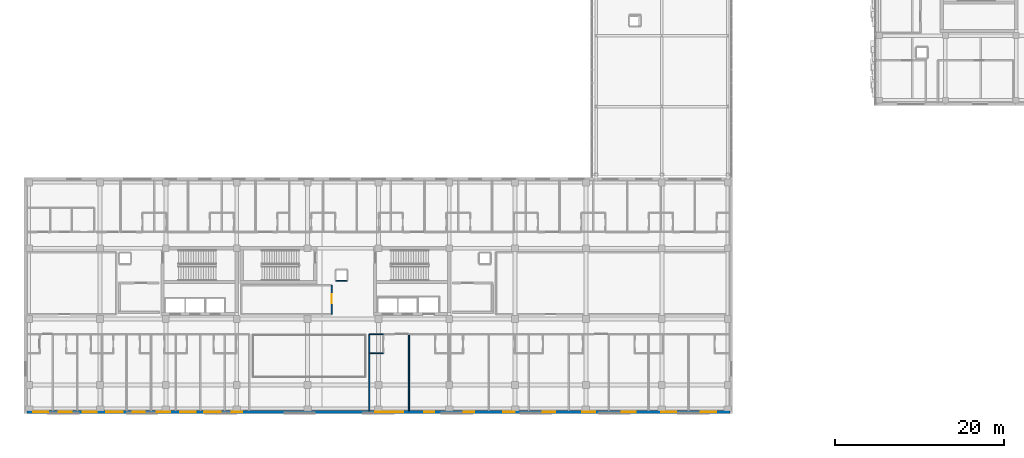
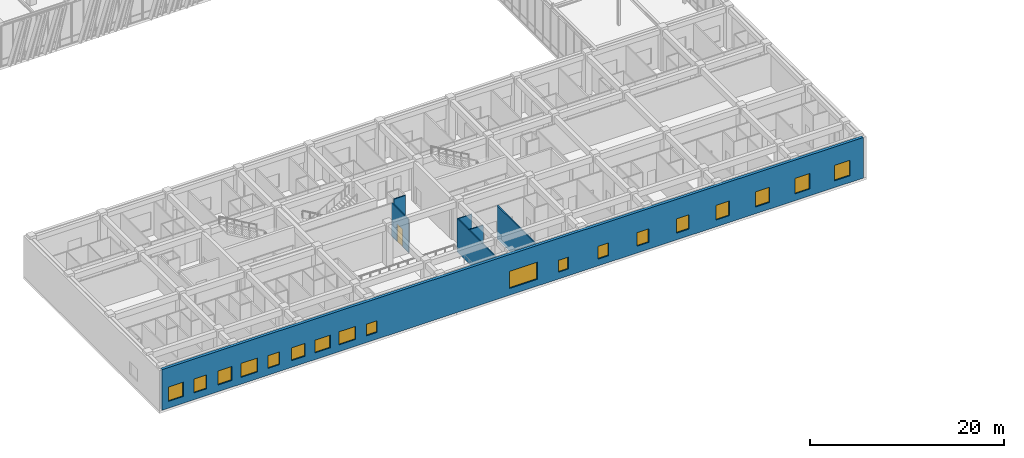
# One storey, part 104 of 139: 18 windows, 7 walls, 1 door, 19 openings.
"""IFC4 building model written with IfcOpenShell, lengths in metres."""

from ifc_helpers import new_model, si_unit, direction, frame, frame_2d, origin, place, context, subcontext, project, spatial, rectangle, extrude, material, layer, layer_set, type_object, element, fill, save


model = new_model("IFC4")

# Units and contexts
model_context = context("Model", 3, precision=1e-05, world=origin(), true_north=direction((0.0, 1.0)))
body_context = subcontext(model_context, "Body", "Model", "MODEL_VIEW")
ifc_project = project(units=[si_unit("LENGTHUNIT", "METRE"), si_unit("AREAUNIT", "SQUARE_METRE"), si_unit("VOLUMEUNIT", "CUBIC_METRE"), si_unit("PLANEANGLEUNIT", "RADIAN"), si_unit("MASSUNIT", "GRAM", prefix="KILO")], contexts=[model_context])

# Site, building, storey
site_placement = place(None, origin())
site = spatial("IfcSite", under=ifc_project, at=site_placement, CompositionType="ELEMENT")
building_placement = place(site_placement, origin())
building = spatial("IfcBuilding", under=site, at=building_placement, Name="Zayran Congress Hotel", CompositionType="ELEMENT")
storey_placement = place(building_placement, frame((0.0, 0.0, 5.39990234375)))
storey = spatial("IfcBuildingStorey", under=building, at=storey_placement, Name="L01", CompositionType="ELEMENT", Elevation=5.39990234375)

# Wall, openings, windows
ifc_material_1 = material(Name="Hajar Ma'ani limestone and insulated concrete C32/40", Category="masonry")
ifc_layer_1 = layer(ifc_material_1, 0.340087890625)
ifc_layer_set_1 = layer_set([ifc_layer_1], Name="Hajar Ma'ani limestone and insulated concrete C32/40")
wall_type_1 = type_object("IfcWallType", Name="WL-EX-340", PredefinedType="SOLIDWALL", material=ifc_layer_set_1)
wall_1_placement = place(storey_placement, frame((92.06005859375, 6.169921875, 0.0), z_axis=(0.0, 0.0, 1.0), x_axis=(-1.0, 0.0, 0.0)))
wall_1 = element("IfcWall", 1, at=wall_1_placement, inside=storey, type_object=wall_type_1, Name="EW-V5-S-L01", PredefinedType="SOLIDWALL", context=body_context, shape_type="SweptSolid", body=[
    extrude(rectangle(XDim=83.320068359375, YDim=0.340087890625, at=frame_2d((41.66015625, 0.0))), origin(), (0.0, 0.0, 1.0), 5.10009765625),
])
opening_1_placement = place(wall_1_placement, frame((80.803955078125, 0.0, 0.85009765625)))
opening_1 = element("IfcOpeningElement", 2, at=opening_1_placement, cuts=wall_1, Name="Opening WN-01", PredefinedType="OPENING", context=body_context, shape_type="SweptSolid", body=[
    extrude(rectangle(XDim=1.800048828125, YDim=1.800048828125, at=frame_2d((0.89990234375, 0.89990234375))), frame((0.0, 0.179931640625, 0.0), z_axis=(0.0, -1.0, 0.0), x_axis=(1.0, 0.0, 0.0)), (0.0, 0.0, 1.0), 0.360107421875),
])
opening_2_placement = place(wall_1_placement, frame((78.04296875, 0.0, 0.85009765625)))
opening_2 = element("IfcOpeningElement", 3, at=opening_2_placement, cuts=wall_1, Name="Opening WN-06", PredefinedType="OPENING", context=body_context, shape_type="SweptSolid", body=[
    extrude(rectangle(XDim=1.5, YDim=1.75, at=frame_2d((0.75, 0.875))), frame((0.0, 0.179931640625, 0.0), z_axis=(0.0, -1.0, 0.0), x_axis=(1.0, 0.0, 0.0)), (0.0, 0.0, 1.0), 0.360107421875),
])
opening_3_placement = place(wall_1_placement, frame((75.056884765625, 0.0, 0.85009765625)))
opening_3 = element("IfcOpeningElement", 4, at=opening_3_placement, cuts=wall_1, Name="Opening WN-07", PredefinedType="OPENING", context=body_context, shape_type="SweptSolid", body=[
    extrude(rectangle(XDim=1.64990234375, YDim=1.75, at=frame_2d((0.824951171875, 0.875))), frame((0.0, 0.179931640625, 0.0), z_axis=(0.0, -1.0, 0.0), x_axis=(1.0, 0.0, 0.0)), (0.0, 0.0, 1.0), 0.360107421875),
])
opening_4_placement = place(wall_1_placement, frame((71.9970703125, 0.0, 0.85009765625)))
opening_4 = element("IfcOpeningElement", 5, at=opening_4_placement, cuts=wall_1, Name="Opening WN-08", PredefinedType="OPENING", context=body_context, shape_type="SweptSolid", body=[
    extrude(rectangle(XDim=1.949951171875, YDim=1.75, at=frame_2d((0.97509765625, 0.875))), frame((0.0, 0.179931640625, 0.0), z_axis=(0.0, -1.0, 0.0), x_axis=(1.0, 0.0, 0.0)), (0.0, 0.0, 1.0), 0.360107421875),
])
opening_5_placement = place(wall_1_placement, frame((69.360107421875, 0.0, 0.85009765625)))
opening_5 = element("IfcOpeningElement", 6, at=opening_5_placement, cuts=wall_1, Name="Opening WN-14", PredefinedType="OPENING", context=body_context, shape_type="SweptSolid", body=[
    extrude(rectangle(XDim=1.39990234375, YDim=1.60009765625, at=frame_2d((0.699951171875, 0.800048828125))), frame((0.0, 0.179931640625, 0.0), z_axis=(0.0, -1.0, 0.0), x_axis=(1.0, 0.0, 0.0)), (0.0, 0.0, 1.0), 0.360107421875),
])
opening_6_placement = place(wall_1_placement, frame((66.34912109375, 0.0, 0.85009765625)))
opening_6 = element("IfcOpeningElement", 7, at=opening_6_placement, cuts=wall_1, Name="Opening WN-15", PredefinedType="OPENING", context=body_context, shape_type="SweptSolid", body=[
    extrude(rectangle(XDim=1.60009765625, YDim=1.60009765625, at=frame_2d((0.800048828125, 0.800048828125))), frame((0.0, 0.179931640625, 0.0), z_axis=(0.0, -1.0, 0.0), x_axis=(1.0, 0.0, 0.0)), (0.0, 0.0, 1.0), 0.360107421875),
])
opening_7_placement = place(wall_1_placement, frame((63.337890625, 0.0, 0.85009765625)))
opening_7 = element("IfcOpeningElement", 8, at=opening_7_placement, cuts=wall_1, Name="Opening WN-16", PredefinedType="OPENING", context=body_context, shape_type="SweptSolid", body=[
    extrude(rectangle(XDim=1.800048828125, YDim=1.60009765625, at=frame_2d((0.89990234375, 0.800048828125))), frame((0.0, 0.179931640625, 0.0), z_axis=(0.0, -1.0, 0.0), x_axis=(1.0, 0.0, 0.0)), (0.0, 0.0, 1.0), 0.360107421875),
])
opening_8_placement = place(wall_1_placement, frame((60.326904296875, 0.0, 0.85009765625)))
opening_8 = element("IfcOpeningElement", 9, at=opening_8_placement, cuts=wall_1, Name="Opening WN-17", PredefinedType="OPENING", context=body_context, shape_type="SweptSolid", body=[
    extrude(rectangle(XDim=2.0, YDim=1.64990234375, at=frame_2d((1.0, 0.824951171875))), frame((0.0, 0.179931640625, 0.0), z_axis=(0.0, -1.0, 0.0), x_axis=(1.0, 0.0, 0.0)), (0.0, 0.0, 1.0), 0.360107421875),
])
opening_9_placement = place(wall_1_placement, frame((57.791015625, 0.0, 0.85009765625)))
opening_9 = element("IfcOpeningElement", 10, at=opening_9_placement, cuts=wall_1, Name="Opening WN-23", PredefinedType="OPENING", context=body_context, shape_type="SweptSolid", body=[
    extrude(rectangle(XDim=1.25, YDim=1.449951171875, at=frame_2d((0.625, 0.72509765625))), frame((0.0, 0.179931640625, 0.0), z_axis=(0.0, -1.0, 0.0), x_axis=(1.0, 0.0, 0.0)), (0.0, 0.0, 1.0), 0.360107421875),
])
opening_10_placement = place(wall_1_placement, frame((38.743896484375, 0.0, 0.85009765625)))
opening_10 = element("IfcOpeningElement", 11, at=opening_10_placement, cuts=wall_1, Name="Opening WN-30", PredefinedType="OPENING", context=body_context, shape_type="SweptSolid", body=[
    extrude(rectangle(XDim=3.300048828125, YDim=2.14990234375, at=frame_2d((1.64990234375, 1.074951171875))), frame((0.0, 0.179931640625, 0.0), z_axis=(0.0, -1.0, 0.0), x_axis=(1.0, 0.0, 0.0)), (0.0, 0.0, 1.0), 0.360107421875),
])
opening_11_placement = place(wall_1_placement, frame((35.070068359375, 0.0, 0.85009765625)))
opening_11 = element("IfcOpeningElement", 12, at=opening_11_placement, cuts=wall_1, Name="Opening WN-31", PredefinedType="OPENING", context=body_context, shape_type="SweptSolid", body=[
    extrude(rectangle(XDim=1.179931640625, YDim=1.5, at=frame_2d((0.58984375, 0.75))), frame((0.0, 0.179931640625, 0.0), z_axis=(0.0, -1.0, 0.0), x_axis=(1.0, 0.0, 0.0)), (0.0, 0.0, 1.0), 0.360107421875),
])
opening_12_placement = place(wall_1_placement, frame((30.287109375, 0.0, 0.85009765625)))
opening_12 = element("IfcOpeningElement", 13, at=opening_12_placement, cuts=wall_1, Name="Opening WN-32", PredefinedType="OPENING", context=body_context, shape_type="SweptSolid", body=[
    extrude(rectangle(XDim=1.280029296875, YDim=1.60009765625, at=frame_2d((0.64013671875, 0.800048828125))), frame((0.0, 0.179931640625, 0.0), z_axis=(0.0, -1.0, 0.0), x_axis=(1.0, 0.0, 0.0)), (0.0, 0.0, 1.0), 0.360107421875),
])
opening_13_placement = place(wall_1_placement, frame((25.5029296875, 0.0, 0.85009765625)))
opening_13 = element("IfcOpeningElement", 14, at=opening_13_placement, cuts=wall_1, Name="Opening WN-33", PredefinedType="OPENING", context=body_context, shape_type="SweptSolid", body=[
    extrude(rectangle(XDim=1.3798828125, YDim=1.699951171875, at=frame_2d((0.68994140625, 0.85009765625))), frame((0.0, 0.179931640625, 0.0), z_axis=(0.0, -1.0, 0.0), x_axis=(1.0, 0.0, 0.0)), (0.0, 0.0, 1.0), 0.360107421875),
])
opening_14_placement = place(wall_1_placement, frame((20.719970703125, 0.0, 0.85009765625)))
opening_14 = element("IfcOpeningElement", 15, at=opening_14_placement, cuts=wall_1, Name="Opening WN-34", PredefinedType="OPENING", context=body_context, shape_type="SweptSolid", body=[
    extrude(rectangle(XDim=1.47998046875, YDim=1.800048828125, at=frame_2d((0.739990234375, 0.89990234375))), frame((0.0, 0.179931640625, 0.0), z_axis=(0.0, -1.0, 0.0), x_axis=(1.0, 0.0, 0.0)), (0.0, 0.0, 1.0), 0.360107421875),
])
opening_15_placement = place(wall_1_placement, frame((15.93701171875, 0.0, 0.85009765625)))
opening_15 = element("IfcOpeningElement", 16, at=opening_15_placement, cuts=wall_1, Name="Opening WN-35", PredefinedType="OPENING", context=body_context, shape_type="SweptSolid", body=[
    extrude(rectangle(XDim=1.580078125, YDim=1.85009765625, at=frame_2d((0.7900390625, 0.925048828125))), frame((0.0, 0.179931640625, 0.0), z_axis=(0.0, -1.0, 0.0), x_axis=(1.0, 0.0, 0.0)), (0.0, 0.0, 1.0), 0.360107421875),
])
opening_16_placement = place(wall_1_placement, frame((11.154052734375, 0.0, 0.85009765625)))
opening_16 = element("IfcOpeningElement", 17, at=opening_16_placement, cuts=wall_1, Name="Opening WN-36", PredefinedType="OPENING", context=body_context, shape_type="SweptSolid", body=[
    extrude(rectangle(XDim=1.679931640625, YDim=1.89990234375, at=frame_2d((0.83984375, 0.949951171875))), frame((0.0, 0.179931640625, 0.0), z_axis=(0.0, -1.0, 0.0), x_axis=(1.0, 0.0, 0.0)), (0.0, 0.0, 1.0), 0.360107421875),
])
opening_17_placement = place(wall_1_placement, frame((6.3701171875, 0.0, 0.85009765625)))
opening_17 = element("IfcOpeningElement", 18, at=opening_17_placement, cuts=wall_1, Name="Opening WN-37", PredefinedType="OPENING", context=body_context, shape_type="SweptSolid", body=[
    extrude(rectangle(XDim=1.780029296875, YDim=1.949951171875, at=frame_2d((0.89013671875, 0.97509765625))), frame((0.0, 0.179931640625, 0.0), z_axis=(0.0, -1.0, 0.0), x_axis=(1.0, 0.0, 0.0)), (0.0, 0.0, 1.0), 0.360107421875),
])
opening_18_placement = place(wall_1_placement, frame((1.5859375, 0.0, 0.85009765625)))
opening_18 = element("IfcOpeningElement", 19, at=opening_18_placement, cuts=wall_1, Name="Opening WN-38", PredefinedType="OPENING", context=body_context, shape_type="SweptSolid", body=[
    extrude(rectangle(XDim=1.8798828125, YDim=1.949951171875, at=frame_2d((0.93994140625, 0.97509765625))), frame((0.0, 0.179931640625, 0.0), z_axis=(0.0, -1.0, 0.0), x_axis=(1.0, 0.0, 0.0)), (0.0, 0.0, 1.0), 0.360107421875),
])
ifc_material_2 = material(Name="Anodised aluminium and low-E insulated glass", Category="aluminium")
window_type_1 = type_object("IfcWindowType", Name="TP-WN-01", PartitioningType="SINGLE_PANEL", PredefinedType="WINDOW", material=ifc_material_2)
window_1_placement = place(opening_1_placement, origin())
window_1 = element("IfcWindow", 20, at=window_1_placement, inside=storey, type_object=window_type_1, Name="WIN-V5S-L01-0154", OverallHeight=1.800048828125, OverallWidth=1.800048828125, PartitioningType="SINGLE_PANEL", PredefinedType="WINDOW", context=body_context, shape_type="SweptSolid", body=[
    extrude(rectangle(XDim=1.800048828125, YDim=1.800048828125, at=frame_2d((0.89990234375, 0.89990234375))), frame((0.0, 0.030029296875, 0.0), z_axis=(0.0, -1.0, 0.0), x_axis=(1.0, 0.0, 0.0)), (0.0, 0.0, 1.0), 0.06005859375),
])
fill(opening_1, window_1)
window_type_2 = type_object("IfcWindowType", Name="TP-WN-06", PartitioningType="SINGLE_PANEL", PredefinedType="WINDOW", material=ifc_material_2)
window_2_placement = place(opening_2_placement, origin())
window_2 = element("IfcWindow", 21, at=window_2_placement, inside=storey, type_object=window_type_2, Name="WIN-V5S-L01-0155", OverallHeight=1.75, OverallWidth=1.5, PartitioningType="SINGLE_PANEL", PredefinedType="WINDOW", context=body_context, shape_type="SweptSolid", body=[
    extrude(rectangle(XDim=1.5, YDim=1.75, at=frame_2d((0.75, 0.875))), frame((0.0, 0.030029296875, 0.0), z_axis=(0.0, -1.0, 0.0), x_axis=(1.0, 0.0, 0.0)), (0.0, 0.0, 1.0), 0.06005859375),
])
fill(opening_2, window_2)
window_type_3 = type_object("IfcWindowType", Name="TP-WN-07", PartitioningType="SINGLE_PANEL", PredefinedType="WINDOW", material=ifc_material_2)
window_3_placement = place(opening_3_placement, origin())
window_3 = element("IfcWindow", 22, at=window_3_placement, inside=storey, type_object=window_type_3, Name="WIN-V5S-L01-0156", OverallHeight=1.75, OverallWidth=1.64990234375, PartitioningType="SINGLE_PANEL", PredefinedType="WINDOW", context=body_context, shape_type="SweptSolid", body=[
    extrude(rectangle(XDim=1.64990234375, YDim=1.75, at=frame_2d((0.824951171875, 0.875))), frame((0.0, 0.030029296875, 0.0), z_axis=(0.0, -1.0, 0.0), x_axis=(1.0, 0.0, 0.0)), (0.0, 0.0, 1.0), 0.06005859375),
])
fill(opening_3, window_3)
window_type_4 = type_object("IfcWindowType", Name="TP-WN-08", PartitioningType="DOUBLE_PANEL_VERTICAL", PredefinedType="WINDOW", material=ifc_material_2)
window_4_placement = place(opening_4_placement, origin())
window_4 = element("IfcWindow", 23, at=window_4_placement, inside=storey, type_object=window_type_4, Name="WIN-V5S-L01-0157", OverallHeight=1.75, OverallWidth=1.949951171875, PartitioningType="SINGLE_PANEL", PredefinedType="WINDOW", context=body_context, shape_type="SweptSolid", body=[
    extrude(rectangle(XDim=1.949951171875, YDim=1.75, at=frame_2d((0.97509765625, 0.875))), frame((0.0, 0.030029296875, 0.0), z_axis=(0.0, -1.0, 0.0), x_axis=(1.0, 0.0, 0.0)), (0.0, 0.0, 1.0), 0.06005859375),
])
fill(opening_4, window_4)
window_type_5 = type_object("IfcWindowType", Name="TP-WN-14", PartitioningType="SINGLE_PANEL", PredefinedType="WINDOW", material=ifc_material_2)
window_5_placement = place(opening_5_placement, origin())
window_5 = element("IfcWindow", 24, at=window_5_placement, inside=storey, type_object=window_type_5, Name="WIN-V5S-L01-0158", OverallHeight=1.60009765625, OverallWidth=1.39990234375, PartitioningType="SINGLE_PANEL", PredefinedType="WINDOW", context=body_context, shape_type="SweptSolid", body=[
    extrude(rectangle(XDim=1.39990234375, YDim=1.60009765625, at=frame_2d((0.699951171875, 0.800048828125))), frame((0.0, 0.030029296875, 0.0), z_axis=(0.0, -1.0, 0.0), x_axis=(1.0, 0.0, 0.0)), (0.0, 0.0, 1.0), 0.06005859375),
])
fill(opening_5, window_5)
window_type_6 = type_object("IfcWindowType", Name="TP-WN-15", PartitioningType="SINGLE_PANEL", PredefinedType="WINDOW", material=ifc_material_2)
window_6_placement = place(opening_6_placement, origin())
window_6 = element("IfcWindow", 25, at=window_6_placement, inside=storey, type_object=window_type_6, Name="WIN-V5S-L01-0159", OverallHeight=1.60009765625, OverallWidth=1.60009765625, PartitioningType="SINGLE_PANEL", PredefinedType="WINDOW", context=body_context, shape_type="SweptSolid", body=[
    extrude(rectangle(XDim=1.60009765625, YDim=1.60009765625, at=frame_2d((0.800048828125, 0.800048828125))), frame((0.0, 0.030029296875, 0.0), z_axis=(0.0, -1.0, 0.0), x_axis=(1.0, 0.0, 0.0)), (0.0, 0.0, 1.0), 0.06005859375),
])
fill(opening_6, window_6)
window_type_7 = type_object("IfcWindowType", Name="TP-WN-16", PartitioningType="DOUBLE_PANEL_VERTICAL", PredefinedType="WINDOW", material=ifc_material_2)
window_7_placement = place(opening_7_placement, origin())
window_7 = element("IfcWindow", 26, at=window_7_placement, inside=storey, type_object=window_type_7, Name="WIN-V5S-L01-0160", OverallHeight=1.60009765625, OverallWidth=1.800048828125, PartitioningType="SINGLE_PANEL", PredefinedType="WINDOW", context=body_context, shape_type="SweptSolid", body=[
    extrude(rectangle(XDim=1.800048828125, YDim=1.60009765625, at=frame_2d((0.89990234375, 0.800048828125))), frame((0.0, 0.030029296875, 0.0), z_axis=(0.0, -1.0, 0.0), x_axis=(1.0, 0.0, 0.0)), (0.0, 0.0, 1.0), 0.06005859375),
])
fill(opening_7, window_7)
window_type_8 = type_object("IfcWindowType", Name="TP-WN-17", PartitioningType="DOUBLE_PANEL_VERTICAL", PredefinedType="WINDOW", material=ifc_material_2)
window_8_placement = place(opening_8_placement, origin())
window_8 = element("IfcWindow", 27, at=window_8_placement, inside=storey, type_object=window_type_8, Name="WIN-V5S-L01-0161", OverallHeight=1.64990234375, OverallWidth=2.0, PartitioningType="SINGLE_PANEL", PredefinedType="WINDOW", context=body_context, shape_type="SweptSolid", body=[
    extrude(rectangle(XDim=2.0, YDim=1.64990234375, at=frame_2d((1.0, 0.824951171875))), frame((0.0, 0.030029296875, 0.0), z_axis=(0.0, -1.0, 0.0), x_axis=(1.0, 0.0, 0.0)), (0.0, 0.0, 1.0), 0.06005859375),
])
fill(opening_8, window_8)
window_type_9 = type_object("IfcWindowType", Name="TP-WN-23", PartitioningType="SINGLE_PANEL", PredefinedType="WINDOW", material=ifc_material_2)
window_9_placement = place(opening_9_placement, origin())
window_9 = element("IfcWindow", 28, at=window_9_placement, inside=storey, type_object=window_type_9, Name="WIN-V5S-L01-0162", OverallHeight=1.449951171875, OverallWidth=1.25, PartitioningType="SINGLE_PANEL", PredefinedType="WINDOW", context=body_context, shape_type="SweptSolid", body=[
    extrude(rectangle(XDim=1.25, YDim=1.449951171875, at=frame_2d((0.625, 0.72509765625))), frame((0.0, 0.030029296875, 0.0), z_axis=(0.0, -1.0, 0.0), x_axis=(1.0, 0.0, 0.0)), (0.0, 0.0, 1.0), 0.06005859375),
])
fill(opening_9, window_9)
window_type_10 = type_object("IfcWindowType", Name="TP-WN-30", PartitioningType="TRIPLE_PANEL_VERTICAL", PredefinedType="WINDOW", material=ifc_material_2)
window_10_placement = place(opening_10_placement, origin())
window_10 = element("IfcWindow", 29, at=window_10_placement, inside=storey, type_object=window_type_10, Name="WIN-V5S-L01-0163", OverallHeight=2.14990234375, OverallWidth=3.300048828125, PartitioningType="SINGLE_PANEL", PredefinedType="WINDOW", context=body_context, shape_type="SweptSolid", body=[
    extrude(rectangle(XDim=3.300048828125, YDim=2.14990234375, at=frame_2d((1.64990234375, 1.074951171875))), frame((0.0, 0.030029296875, 0.0), z_axis=(0.0, -1.0, 0.0), x_axis=(1.0, 0.0, 0.0)), (0.0, 0.0, 1.0), 0.06005859375),
])
fill(opening_10, window_10)
window_type_11 = type_object("IfcWindowType", Name="TP-WN-31", PartitioningType="SINGLE_PANEL", PredefinedType="WINDOW", material=ifc_material_2)
window_11_placement = place(opening_11_placement, origin())
window_11 = element("IfcWindow", 30, at=window_11_placement, inside=storey, type_object=window_type_11, Name="WIN-V5S-L01-0164", OverallHeight=1.5, OverallWidth=1.179931640625, PartitioningType="SINGLE_PANEL", PredefinedType="WINDOW", context=body_context, shape_type="SweptSolid", body=[
    extrude(rectangle(XDim=1.179931640625, YDim=1.5, at=frame_2d((0.58984375, 0.75))), frame((0.0, 0.030029296875, 0.0), z_axis=(0.0, -1.0, 0.0), x_axis=(1.0, 0.0, 0.0)), (0.0, 0.0, 1.0), 0.06005859375),
])
fill(opening_11, window_11)
window_type_12 = type_object("IfcWindowType", Name="TP-WN-32", PartitioningType="SINGLE_PANEL", PredefinedType="WINDOW", material=ifc_material_2)
window_12_placement = place(opening_12_placement, origin())
window_12 = element("IfcWindow", 31, at=window_12_placement, inside=storey, type_object=window_type_12, Name="WIN-V5S-L01-0165", OverallHeight=1.60009765625, OverallWidth=1.280029296875, PartitioningType="SINGLE_PANEL", PredefinedType="WINDOW", context=body_context, shape_type="SweptSolid", body=[
    extrude(rectangle(XDim=1.280029296875, YDim=1.60009765625, at=frame_2d((0.64013671875, 0.800048828125))), frame((0.0, 0.030029296875, 0.0), z_axis=(0.0, -1.0, 0.0), x_axis=(1.0, 0.0, 0.0)), (0.0, 0.0, 1.0), 0.06005859375),
])
fill(opening_12, window_12)
window_type_13 = type_object("IfcWindowType", Name="TP-WN-33", PartitioningType="SINGLE_PANEL", PredefinedType="WINDOW", material=ifc_material_2)
window_13_placement = place(opening_13_placement, origin())
window_13 = element("IfcWindow", 32, at=window_13_placement, inside=storey, type_object=window_type_13, Name="WIN-V5S-L01-0166", OverallHeight=1.699951171875, OverallWidth=1.3798828125, PartitioningType="SINGLE_PANEL", PredefinedType="WINDOW", context=body_context, shape_type="SweptSolid", body=[
    extrude(rectangle(XDim=1.3798828125, YDim=1.699951171875, at=frame_2d((0.68994140625, 0.85009765625))), frame((0.0, 0.030029296875, 0.0), z_axis=(0.0, -1.0, 0.0), x_axis=(1.0, 0.0, 0.0)), (0.0, 0.0, 1.0), 0.06005859375),
])
fill(opening_13, window_13)
window_type_14 = type_object("IfcWindowType", Name="TP-WN-34", PartitioningType="SINGLE_PANEL", PredefinedType="WINDOW", material=ifc_material_2)
window_14_placement = place(opening_14_placement, origin())
window_14 = element("IfcWindow", 33, at=window_14_placement, inside=storey, type_object=window_type_14, Name="WIN-V5S-L01-0167", OverallHeight=1.800048828125, OverallWidth=1.47998046875, PartitioningType="SINGLE_PANEL", PredefinedType="WINDOW", context=body_context, shape_type="SweptSolid", body=[
    extrude(rectangle(XDim=1.47998046875, YDim=1.800048828125, at=frame_2d((0.739990234375, 0.89990234375))), frame((0.0, 0.030029296875, 0.0), z_axis=(0.0, -1.0, 0.0), x_axis=(1.0, 0.0, 0.0)), (0.0, 0.0, 1.0), 0.06005859375),
])
fill(opening_14, window_14)
window_type_15 = type_object("IfcWindowType", Name="TP-WN-35", PartitioningType="DOUBLE_PANEL_VERTICAL", PredefinedType="WINDOW", material=ifc_material_2)
window_15_placement = place(opening_15_placement, origin())
window_15 = element("IfcWindow", 34, at=window_15_placement, inside=storey, type_object=window_type_15, Name="WIN-V5S-L01-0168", OverallHeight=1.85009765625, OverallWidth=1.580078125, PartitioningType="SINGLE_PANEL", PredefinedType="WINDOW", context=body_context, shape_type="SweptSolid", body=[
    extrude(rectangle(XDim=1.580078125, YDim=1.85009765625, at=frame_2d((0.7900390625, 0.925048828125))), frame((0.0, 0.030029296875, 0.0), z_axis=(0.0, -1.0, 0.0), x_axis=(1.0, 0.0, 0.0)), (0.0, 0.0, 1.0), 0.06005859375),
])
fill(opening_15, window_15)
window_type_16 = type_object("IfcWindowType", Name="TP-WN-36", PartitioningType="DOUBLE_PANEL_VERTICAL", PredefinedType="WINDOW", material=ifc_material_2)
window_16_placement = place(opening_16_placement, origin())
window_16 = element("IfcWindow", 35, at=window_16_placement, inside=storey, type_object=window_type_16, Name="WIN-V5S-L01-0169", OverallHeight=1.89990234375, OverallWidth=1.679931640625, PartitioningType="SINGLE_PANEL", PredefinedType="WINDOW", context=body_context, shape_type="SweptSolid", body=[
    extrude(rectangle(XDim=1.679931640625, YDim=1.89990234375, at=frame_2d((0.83984375, 0.949951171875))), frame((0.0, 0.030029296875, 0.0), z_axis=(0.0, -1.0, 0.0), x_axis=(1.0, 0.0, 0.0)), (0.0, 0.0, 1.0), 0.06005859375),
])
fill(opening_16, window_16)
window_type_17 = type_object("IfcWindowType", Name="TP-WN-37", PartitioningType="DOUBLE_PANEL_VERTICAL", PredefinedType="WINDOW", material=ifc_material_2)
window_17_placement = place(opening_17_placement, origin())
window_17 = element("IfcWindow", 36, at=window_17_placement, inside=storey, type_object=window_type_17, Name="WIN-V5S-L01-0170", OverallHeight=1.949951171875, OverallWidth=1.780029296875, PartitioningType="SINGLE_PANEL", PredefinedType="WINDOW", context=body_context, shape_type="SweptSolid", body=[
    extrude(rectangle(XDim=1.780029296875, YDim=1.949951171875, at=frame_2d((0.89013671875, 0.97509765625))), frame((0.0, 0.030029296875, 0.0), z_axis=(0.0, -1.0, 0.0), x_axis=(1.0, 0.0, 0.0)), (0.0, 0.0, 1.0), 0.06005859375),
])
fill(opening_17, window_17)
window_type_18 = type_object("IfcWindowType", Name="TP-WN-38", PartitioningType="DOUBLE_PANEL_VERTICAL", PredefinedType="WINDOW", material=ifc_material_2)
window_18_placement = place(opening_18_placement, origin())
window_18 = element("IfcWindow", 37, at=window_18_placement, inside=storey, type_object=window_type_18, Name="WIN-V5S-L01-0171", OverallHeight=1.949951171875, OverallWidth=1.8798828125, PartitioningType="SINGLE_PANEL", PredefinedType="WINDOW", context=body_context, shape_type="SweptSolid", body=[
    extrude(rectangle(XDim=1.8798828125, YDim=1.949951171875, at=frame_2d((0.93994140625, 0.97509765625))), frame((0.0, 0.030029296875, 0.0), z_axis=(0.0, -1.0, 0.0), x_axis=(1.0, 0.0, 0.0)), (0.0, 0.0, 1.0), 0.06005859375),
])
fill(opening_18, window_18)

# Wall, opening, door
ifc_material_3 = material(Name="Hospitality guestroom acoustic partition", Category="gypsum")
ifc_layer_2 = layer(ifc_material_3, 0.139892578125)
ifc_layer_set_2 = layer_set([ifc_layer_2], Name="Hospitality guestroom acoustic partition")
wall_type_2 = type_object("IfcWallType", Name="WL-PT-140", PredefinedType="PARTITIONING", material=ifc_layer_set_2)
wall_2_placement = place(storey_placement, frame((44.8701171875, 17.77001953125, 0.0), z_axis=(0.0, 0.0, 1.0), x_axis=(0.0, 1.0, 0.0)))
wall_2 = element("IfcWall", 38, at=wall_2_placement, inside=storey, type_object=wall_type_2, Name="IW-L01-0445", PredefinedType="PARTITIONING", context=body_context, shape_type="SweptSolid", body=[
    extrude(rectangle(XDim=3.4599609375, YDim=0.139892578125, at=frame_2d((1.72998046875, 0.0))), origin(), (0.0, 0.0, 1.0), 4.18017578125),
])
opening_19_placement = place(wall_2_placement, frame((1.283935546875, 0.0, 0.0)))
opening_19 = element("IfcOpeningElement", 39, at=opening_19_placement, cuts=wall_2, Name="Opening DR-MT-01", PredefinedType="OPENING", context=body_context, shape_type="SweptSolid", body=[
    extrude(rectangle(XDim=1.080078125, YDim=2.25, at=frame_2d((0.5400390625, 1.125))), frame((0.0, 0.079833984375, 0.0), z_axis=(0.0, -1.0, 0.0), x_axis=(1.0, 0.0, 0.0)), (0.0, 0.0, 1.0), 0.159912109375),
])
ifc_material_4 = material(Name="Acoustic timber seminar room door", Category="wood")
door_type = type_object("IfcDoorType", Name="TP-DR-MT-01", OperationType="NOTDEFINED", PredefinedType="DOOR", material=ifc_material_4)
door_placement = place(opening_19_placement, origin())
door = element("IfcDoor", 40, at=door_placement, inside=storey, type_object=door_type, Name="Hospitality Gallery Lounge L01 Door", OperationType="SINGLE_SWING_LEFT", OverallHeight=2.25, OverallWidth=1.080078125, PredefinedType="DOOR", context=body_context, shape_type="SweptSolid", body=[
    extrude(rectangle(XDim=1.080078125, YDim=2.25, at=frame_2d((0.5400390625, 1.125))), frame((0.0, 0.02490234375, 0.0), z_axis=(0.0, -1.0, 0.0), x_axis=(1.0, 0.0, 0.0)), (0.0, 0.0, 1.0), 0.050048828125),
])
fill(opening_19, door)

# Walls
for number, where, z_axis, x_axis, name in (
    (41, (49.31005859375, 6.340087890625, 0.0), (0.0, 0.0, 1.0), (0.0, 1.0, 0.0), "IW-L01-1750"),
    (42, (54.02294921875, 6.340087890625, 0.0), (0.0, 0.0, 1.0), (0.0, 1.0, 0.0), "IW-L01-1751"),
):
    element("IfcWall", number, at=place(storey_placement, frame(where, z_axis=z_axis, x_axis=x_axis)), inside=storey, type_object=wall_type_2, Name=name, PredefinedType="PARTITIONING", context=body_context, shape_type="SweptSolid", body=[
        extrude(rectangle(XDim=9.08984375, YDim=0.139892578125, at=frame_2d((4.544921875, 0.0))), origin(), (0.0, 0.0, 1.0), 4.18017578125),
    ])
wall_3_placement = place(storey_placement, frame((45.330078125, 21.72998046875, 0.0), z_axis=(0.0, 0.0, 1.0), x_axis=(1.0, 0.0, 0.0)))
element("IfcWall", 43, at=wall_3_placement, inside=storey, type_object=wall_type_2, Name="RSWL-V5-L01-027-S", PredefinedType="PARTITIONING", context=body_context, shape_type="SweptSolid", body=[
    extrude(rectangle(XDim=1.35986328125, YDim=0.139892578125, at=frame_2d((0.679931640625, 0.0))), origin(), (0.0, 0.0, 1.0), 4.2001953125),
])
ifc_material_5 = material(Name="Moisture-resistant bathroom partition", Category="gypsum")
ifc_layer_3 = layer(ifc_material_5, 0.1201171875)
ifc_layer_set_3 = layer_set([ifc_layer_3], Name="Moisture-resistant bathroom partition")
wall_type_3 = type_object("IfcWallType", Name="WL-PT-120", PredefinedType="PARTITIONING", material=ifc_layer_set_3)
for number, where, z_axis, x_axis, name in (
    (44, (49.300048828125, 13.1298828125, 0.0), (0.0, 0.0, 1.0), (1.0, 0.0, 0.0), "IW-L01-0919"),
    (45, (49.300048828125, 15.419921875, 0.0), (0.0, 0.0, 1.0), (1.0, 0.0, 0.0), "IW-L01-0920"),
):
    element("IfcWall", number, at=place(storey_placement, frame(where, z_axis=z_axis, x_axis=x_axis)), inside=storey, type_object=wall_type_3, Name=name, PredefinedType="PARTITIONING", context=body_context, shape_type="SweptSolid", body=[
        extrude(rectangle(XDim=1.6689453125, YDim=0.1201171875, at=frame_2d((0.83447265625, 0.0))), origin(), (0.0, 0.0, 1.0), 4.18017578125),
    ])

save(model, "model.ifc")
